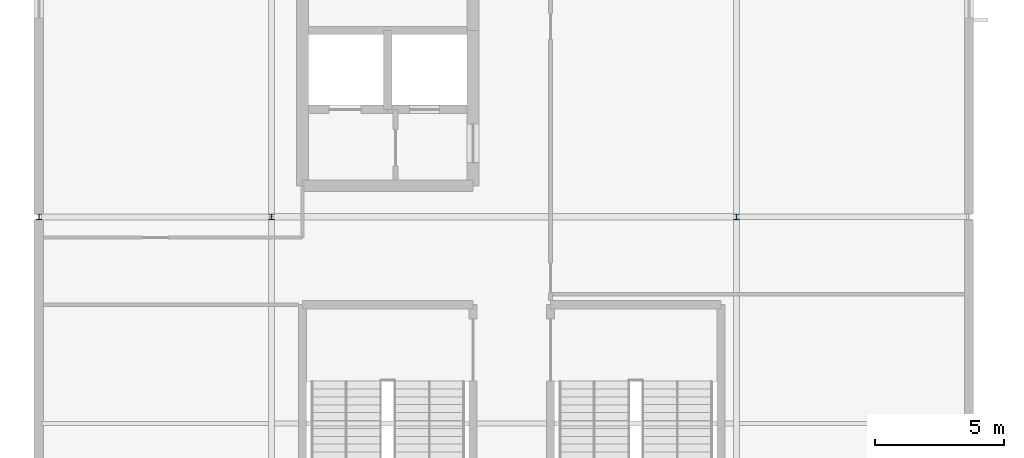
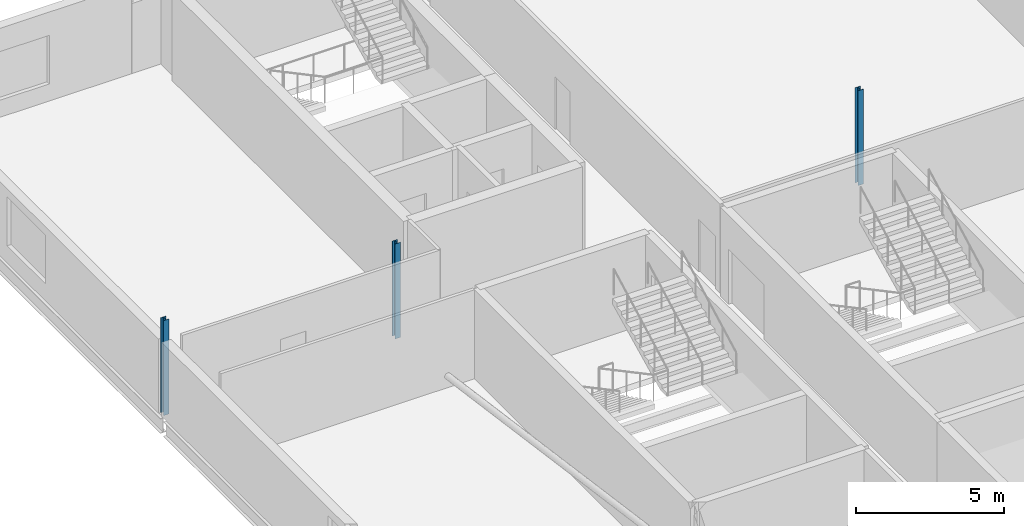
# One storey, part 6 of 35: 3 columns.
"""IFC4 building model written with IfcOpenShell, lengths in metres."""

import ifcopenshell
import ifcopenshell.guid

model = None  # the IFC model being written
_history = None  # IfcOwnerHistory: only IFC2X3 demands one
_inside = {}  # id of a spatial element -> (the spatial element, [elements in it])
_under = {}  # id of a project, library or spatial element -> (it, [spatial elements below it])
_declared = {}  # id of a project -> (the project, [libraries it declares])
_typed = {}  # id of a type object -> (the type object, [elements of that type])
_made_of = {}  # id of a material, layer set ... -> (it, [elements and type objects made of it])


def new_model(schema):
    """Start an empty IFC model of exactly this schema.

    Asked for "IFC4X3", IfcOpenShell would pick the latest addendum, in which some entities
    have other attributes; the version numbers below select the first issue.
    IFC2X3 requires an IfcOwnerHistory on every rooted entity: one is made here for all.
    """
    global model, _history
    if schema == "IFC4X3":
        model = ifcopenshell.file(schema_version=(4, 3, 0, 0))
    else:
        model = ifcopenshell.file(schema=schema)
    _inside.clear()
    _under.clear()
    _declared.clear()
    _typed.clear()
    _made_of.clear()
    _history = None
    if model.schema == "IFC2X3":
        org = make("IfcOrganization", Name="unknown")
        user = make(
            "IfcPersonAndOrganization",
            ThePerson=make("IfcPerson", FamilyName="unknown"),
            TheOrganization=org,
        )
        app = make(
            "IfcApplication",
            ApplicationDeveloper=org,
            Version="unknown",
            ApplicationFullName="unknown",
            ApplicationIdentifier="unknown",
        )
        _history = make(
            "IfcOwnerHistory",
            OwningUser=user,
            OwningApplication=app,
            ChangeAction="ADDED",
            CreationDate=0,
        )
    return model


def make(cls, **values):
    """One entity of the class cls with the attributes given. An attribute that is None is left unset."""
    return model.create_entity(
        cls, **{name: value for name, value in values.items() if value is not None}
    )


def rooted(cls, **values):
    """An entity with a GlobalId (a new one), such as an element, a storey or a relation."""
    return make(cls, GlobalId=ifcopenshell.guid.new(), OwnerHistory=_history, **values)


def si_unit(unit_type, name, prefix=None):
    """IfcSIUnit, for example si_unit("LENGTHUNIT", "METRE", prefix="MILLI")."""
    return make("IfcSIUnit", UnitType=unit_type, Prefix=prefix, Name=name)


def assignment(units):
    """IfcUnitAssignment: the units of a project."""
    return None if units is None else make("IfcUnitAssignment", Units=units)


def point(xyz):
    """IfcCartesianPoint."""
    return None if xyz is None else make("IfcCartesianPoint", Coordinates=xyz)


def direction(xyz):
    """IfcDirection."""
    return None if xyz is None else make("IfcDirection", DirectionRatios=xyz)


def frame(location, z_axis=None, x_axis=None):
    """IfcAxis2Placement3D, a coordinate frame: its origin and axes. An axis left out is left unset."""
    return make(
        "IfcAxis2Placement3D",
        Location=point(location),
        Axis=direction(z_axis),
        RefDirection=direction(x_axis),
    )


def frame_2d(location, x_axis=None):
    """IfcAxis2Placement2D, a coordinate frame in the plane: its origin and x axis."""
    return make(
        "IfcAxis2Placement2D", Location=point(location), RefDirection=direction(x_axis)
    )


def origin():
    """The frame at (0, 0, 0) with its axes left unset."""
    return frame((0.0, 0.0, 0.0))


def origin_2d():
    """The frame at (0, 0) in the plane with its x axis left unset."""
    return frame_2d((0.0, 0.0))


def place(relative_to, where):
    """IfcLocalPlacement: puts the frame where relative to a parent placement (None: the world)."""
    return make(
        "IfcLocalPlacement", PlacementRelTo=relative_to, RelativePlacement=where
    )


def context(
    kind, dimensions, precision=None, world=None, true_north=None, identifier=None
):
    """IfcGeometricRepresentationContext, for example the 3D "Model" context."""
    return make(
        "IfcGeometricRepresentationContext",
        ContextIdentifier=identifier,
        ContextType=kind,
        CoordinateSpaceDimension=dimensions,
        Precision=precision,
        WorldCoordinateSystem=world,
        TrueNorth=true_north,
    )


def subcontext(parent, identifier, kind, view, scale=None):
    """IfcGeometricRepresentationSubContext, for example "Body" below "Model"."""
    return make(
        "IfcGeometricRepresentationSubContext",
        ContextIdentifier=identifier,
        ContextType=kind,
        ParentContext=parent,
        TargetScale=scale,
        TargetView=view,
    )


def project(units=None, contexts=None):
    """IfcProject with its units and contexts."""
    return rooted(
        "IfcProject",
        Name="project",
        RepresentationContexts=contexts,
        UnitsInContext=assignment(units),
    )


def spatial(cls, under=None, at=None, **own):
    """A site, building, storey or space (cls), placed at a placement, below another one or the project."""
    s = rooted(cls, ObjectPlacement=at, **own)
    if under is not None:
        _under.setdefault(under.id(), (under, []))[1].append(s)
    return s


def profile(cls, at=None, kind="AREA", **sizes):
    """A parametric profile (cls). Its sizes go by their IFC names, for example OverallWidth=200.0."""
    return make(cls, ProfileType=kind, Position=at, **sizes)


def i_section(**sizes):
    """IfcIShapeProfileDef."""
    return profile("IfcIShapeProfileDef", **sizes)


def extrude(swept, where, along, depth):
    """IfcExtrudedAreaSolid: the profile swept, set in the frame where, extruded along a direction by depth."""
    return make(
        "IfcExtrudedAreaSolid",
        SweptArea=swept,
        Position=where,
        ExtrudedDirection=direction(along),
        Depth=depth,
    )


def shape(context_of_items, identifier, shape_type, items):
    """IfcShapeRepresentation: the items that make up one representation, for example the "Body"."""
    return make(
        "IfcShapeRepresentation",
        ContextOfItems=context_of_items,
        RepresentationIdentifier=identifier,
        RepresentationType=shape_type,
        Items=items,
    )


def material(Name=None, Category=None):
    """IfcMaterial."""
    return make("IfcMaterial", Name=Name, Category=Category)


def material_profile(
    of_material, cross_section, Name=None, Category=None, Priority=None
):
    """IfcMaterialProfile: a cross section and its material."""
    return make(
        "IfcMaterialProfile",
        Name=Name,
        Material=of_material,
        Profile=cross_section,
        Priority=Priority,
        Category=Category,
    )


def profile_set(profiles, Name=None, composite=None):
    """IfcMaterialProfileSet."""
    return make(
        "IfcMaterialProfileSet",
        Name=Name,
        MaterialProfiles=profiles,
        CompositeProfile=composite,
    )


def made_of(thing, what):
    """Note that an element or type object is made of a material, layer set ...; save() writes the relation."""
    if what is not None:
        _made_of.setdefault(what.id(), (what, []))[1].append(thing)
    return thing


def type_object(cls, material=None, **own):
    """A type object (cls), such as IfcWallType, which elements share."""
    return made_of(rooted(cls, **own), material)


def element(
    cls,
    number,
    at=None,
    inside=None,
    cuts=None,
    type_object=None,
    material=None,
    context=None,
    identifier="Body",
    shape_type=None,
    held_by="IfcProductDefinitionShape",
    body=None,
    shapes=None,
    **own,
):
    """One element of the class cls, such as IfcWall. Its Tag is "e" and its number.

    at: its placement. inside: the storey or other place that contains it. cuts: it is an
    opening in that element (IfcRelVoidsElement). A single representation is given by context,
    identifier, shape_type and body (its items); several are given by shapes. held_by: the class
    of the entity that holds the representations. save() writes the other relations.
    """
    e = rooted(cls, Tag="e%d" % number, ObjectPlacement=at, **own)
    if body is not None:
        shapes = [shape(context, identifier, shape_type, body)]
    if shapes is not None:
        e.Representation = make(held_by, Representations=shapes)
    if inside is not None:
        _inside.setdefault(inside.id(), (inside, []))[1].append(e)
    if cuts is not None:
        rooted(
            "IfcRelVoidsElement", RelatingBuildingElement=cuts, RelatedOpeningElement=e
        )
    if type_object is not None:
        _typed.setdefault(type_object.id(), (type_object, []))[1].append(e)
    return made_of(e, material)


def aggregate(whole, parts):
    """IfcRelAggregates: a whole, such as a stair, and the parts it consists of."""
    return rooted("IfcRelAggregates", RelatingObject=whole, RelatedObjects=parts)


def save(model, path):
    """Write the relations noted so far, then the file.

    IfcRelAggregates (storeys below a building ...), IfcRelContainedInSpatialStructure (elements
    in a storey), IfcRelDefinesByType, IfcRelAssociatesMaterial and IfcRelDeclares: one each for
    every whole, place, type object, material and project.
    """
    for whole, parts in _under.values():
        aggregate(whole, parts)
    for where, things in _inside.values():
        rooted(
            "IfcRelContainedInSpatialStructure",
            RelatedElements=things,
            RelatingStructure=where,
        )
    for kind, things in _typed.values():
        rooted("IfcRelDefinesByType", RelatedObjects=things, RelatingType=kind)
    for what, things in _made_of.values():
        rooted("IfcRelAssociatesMaterial", RelatedObjects=things, RelatingMaterial=what)
    for by, libraries in _declared.values():
        rooted("IfcRelDeclares", RelatingContext=by, RelatedDefinitions=libraries)
    model.write(path)


model = new_model("IFC4")

# Units and contexts
model_context = context("Model", 3, precision=1e-05, world=origin(), true_north=direction((0.0, 1.0)))
body_context = subcontext(model_context, "Body", "Model", "MODEL_VIEW")
ifc_project = project(units=[si_unit("LENGTHUNIT", "METRE"), si_unit("AREAUNIT", "SQUARE_METRE"), si_unit("VOLUMEUNIT", "CUBIC_METRE"), si_unit("PLANEANGLEUNIT", "RADIAN"), si_unit("MASSUNIT", "GRAM", prefix="KILO")], contexts=[model_context])

# Site, building, storey
site_placement = place(None, origin())
site = spatial("IfcSite", under=ifc_project, at=site_placement, CompositionType="ELEMENT")
building_placement = place(site_placement, origin())
building = spatial("IfcBuilding", under=site, at=building_placement, Name="Kisiwana Market Hall", CompositionType="ELEMENT")
storey_placement = place(building_placement, frame((0.0, 0.0, 61.800048828125)))
storey = spatial("IfcBuildingStorey", under=building, at=storey_placement, Name="L14", CompositionType="ELEMENT", Elevation=61.800048828125)

# Columns
ifc_material = material(Name="Steel S355", Category="steel")
ifc_material_profile = material_profile(ifc_material, i_section(OverallWidth=0.205810546875, OverallDepth=0.209716796875, WebThickness=0.009521484375, FlangeThickness=0.01416015625, FilletRadius=0.01025390625, at=origin_2d()), Name="UC 203x203x60")
ifc_profile_set = profile_set([ifc_material_profile], Name="Steel S355")
column_type = type_object("IfcColumnType", Name="COL-STL-UC060", PredefinedType="COLUMN", material=ifc_profile_set)
for number, where, z_axis, x_axis, name in (
    (1, (0.0, 84.0, 0.0), (0.0, 0.0, 1.0), (1.0, 0.0, 0.0), "Column L/1 (L14) C-1445"),
    (2, (9.0, 84.0, 0.0), (0.0, 0.0, 1.0), (1.0, 0.0, 0.0), "Column L/2 (L14) C-1449"),
    (3, (27.0, 84.0, 0.0), (0.0, 0.0, 1.0), (1.0, 0.0, 0.0), "Column L/4 (L14) C-1454"),
):
    element("IfcColumn", number, at=place(storey_placement, frame(where, z_axis=z_axis, x_axis=x_axis)), inside=storey, type_object=column_type, Name=name, PredefinedType="COLUMN", context=body_context, shape_type="SweptSolid", body=[
        extrude(i_section(OverallWidth=0.205810546875, OverallDepth=0.209716796875, WebThickness=0.009521484375, FlangeThickness=0.01416015625, FilletRadius=0.01025390625, at=origin_2d()), origin(), (0.0, 0.0, 1.0), 3.89990234375),
    ])

save(model, "model.ifc")
